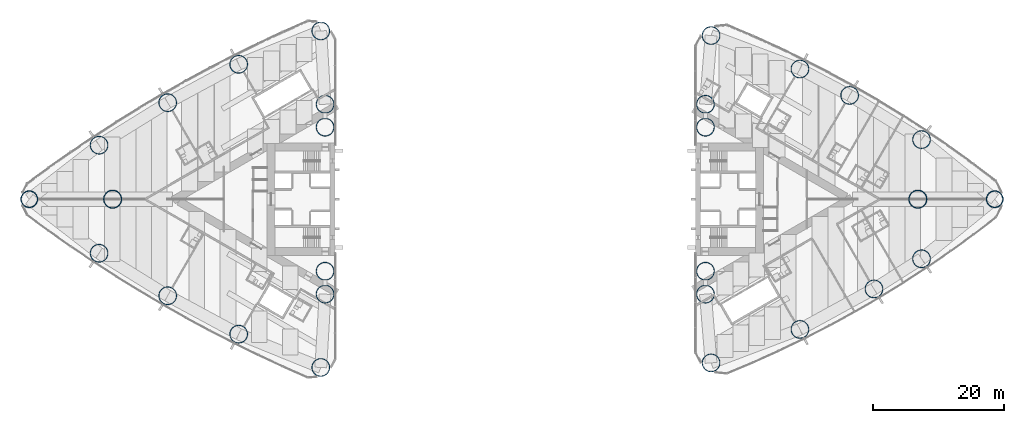
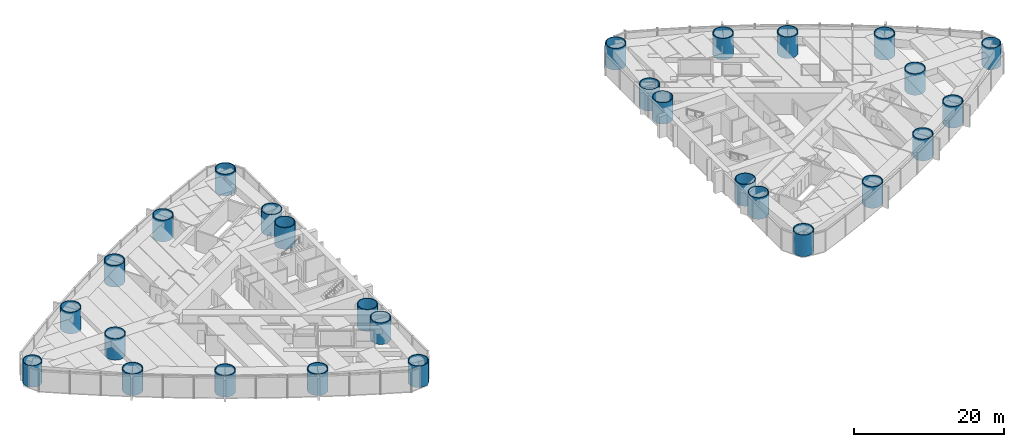
# One storey, part 1 of 19: 28 columns.
"""IFC4 building model written with IfcOpenShell, lengths in metres."""

from ifc_helpers import new_model, si_unit, direction, frame, origin, origin_2d, place, context, subcontext, project, spatial, hollow_circle, extrude, material, material_profile, profile_set, type_object, element, save


model = new_model("IFC4")

# Units and contexts
model_context = context("Model", 3, precision=1e-05, world=origin(), true_north=direction((0.0, 1.0)))
body_context = subcontext(model_context, "Body", "Model", "MODEL_VIEW")
ifc_project = project(units=[si_unit("LENGTHUNIT", "METRE"), si_unit("AREAUNIT", "SQUARE_METRE"), si_unit("VOLUMEUNIT", "CUBIC_METRE"), si_unit("PLANEANGLEUNIT", "RADIAN"), si_unit("MASSUNIT", "GRAM", prefix="KILO")], contexts=[model_context])

# Site, building, storey
site_placement = place(None, origin())
site = spatial("IfcSite", under=ifc_project, at=site_placement, CompositionType="ELEMENT")
building_placement = place(site_placement, origin())
building = spatial("IfcBuilding", under=site, at=building_placement, Name="Lancet Gate Hotel", CompositionType="ELEMENT")
storey_placement = place(building_placement, frame((0.0, 0.0, 25.0)))
storey = spatial("IfcBuildingStorey", under=building, at=storey_placement, Name="L05", CompositionType="ELEMENT", Elevation=25.0)

# Columns
ifc_material_1 = material(Name="Composite filled tube, grade 460 plate, grade 80/95 fill", Category="composite")
ifc_material_profile_1 = material_profile(ifc_material_1, hollow_circle(Radius=1.39990234375, WallThickness=0.10009765625, at=origin_2d()), Name="CHS 2800x100")
ifc_profile_set_1 = profile_set([ifc_material_profile_1], Name="Composite filled tube, grade 460 plate, grade 80/95 fill")
column_type_1 = type_object("IfcColumnType", Name="Apex column CFT CHS 2800x100", PredefinedType="COLUMN", material=ifc_profile_set_1)
for number, where, z_axis, x_axis, name in (
    (1, (-61.5, 0.0, 0.0), (0.0, 0.0, 1.0), (1.0, 0.0, 0.0), "T1 column AX L05"),
    (2, (61.5, 0.0, 0.0), (0.0, 0.0, 1.0), (1.0, 0.0, 0.0), "T2 column AX L05"),
):
    element("IfcColumn", number, at=place(storey_placement, frame(where, z_axis=z_axis, x_axis=x_axis)), inside=storey, type_object=column_type_1, Name=name, PredefinedType="COLUMN", context=body_context, shape_type="SweptSolid", body=[
        extrude(hollow_circle(Radius=1.39990234375, WallThickness=0.10009765625, at=origin_2d()), origin(), (0.0, 0.0, 1.0), 3.5),
    ])
ifc_material_2 = material(Name="Composite filled tube, grade 460 plate, grade 80/95 fill", Category="composite")
ifc_material_profile_2 = material_profile(ifc_material_2, hollow_circle(Radius=1.300048828125, WallThickness=0.10009765625, at=origin_2d()), Name="CHS 2600x100")
ifc_profile_set_2 = profile_set([ifc_material_profile_2], Name="Composite filled tube, grade 460 plate, grade 80/95 fill")
column_type_2 = type_object("IfcColumnType", Name="Apex corner column CFT CHS 2600x100", PredefinedType="COLUMN", material=ifc_profile_set_2)
for number, where, z_axis, x_axis, name in (
    (3, (-74.235107421875, 0.0, 0.0), (0.0, 0.0, 1.0), (1.0, 0.0, 0.0), "T1 column CA L05"),
    (4, (73.2392578125, 0.0, 0.0), (0.0, 0.0, 1.0), (1.0, 0.0, 0.0), "T2 column CA L05"),
):
    element("IfcColumn", number, at=place(storey_placement, frame(where, z_axis=z_axis, x_axis=x_axis)), inside=storey, type_object=column_type_2, Name=name, PredefinedType="COLUMN", context=body_context, shape_type="SweptSolid", body=[
        extrude(hollow_circle(Radius=1.300048828125, WallThickness=0.10009765625, at=origin_2d()), origin(), (0.0, 0.0, 1.0), 3.5),
    ])
ifc_material_3 = material(Name="Composite filled tube, grade 460 plate, grade 80/95 fill", Category="composite")
ifc_material_profile_3 = material_profile(ifc_material_3, hollow_circle(Radius=1.39990234375, WallThickness=0.1201171875, at=origin_2d()), Name="CHS 2800x120")
ifc_profile_set_3 = profile_set([ifc_material_profile_3], Name="Composite filled tube, grade 460 plate, grade 80/95 fill")
column_type_3 = type_object("IfcColumnType", Name="Perimeter column CFT CHS 2800x120", PredefinedType="COLUMN", material=ifc_profile_set_3)
for number, where, z_axis, x_axis, name in (
    (5, (-29.703369140625, -25.70263671875, 0.0), (0.0, 0.0, 1.0), (1.0, 0.0, 0.0), "T1 column CN L05"),
    (6, (-29.703369140625, 25.70263671875, 0.0), (0.0, 0.0, 1.0), (1.0, 0.0, 0.0), "T1 column CS L05"),
    (7, (-29.050048828125, -11.0, 0.0), (0.0, 0.0, 1.0), (1.0, 0.0, 0.0), "T1 column IN L05"),
    (8, (-29.050048828125, 11.0, 0.0), (0.0, 0.0, 1.0), (1.0, 0.0, 0.0), "T1 column IS L05"),
    (9, (-29.050048828125, 14.5, 0.0), (0.0, 0.0, 1.0), (1.0, 0.0, 0.0), "T1 column IT L05"),
    (10, (-29.050048828125, -14.5, 0.0), (0.0, 0.0, 1.0), (1.0, 0.0, 0.0), "T1 column JT L05"),
    (11, (-63.57177734375, -8.255126953125, 0.0), (0.0, 0.0, 1.0), (1.0, 0.0, 0.0), "T1 column ON1 L05"),
    (12, (-53.090087890625, -14.744873046875, 0.0), (0.0, 0.0, 1.0), (1.0, 0.0, 0.0), "T1 column ON2 L05"),
    (13, (-42.2451171875, -20.607421875, 0.0), (0.0, 0.0, 1.0), (1.0, 0.0, 0.0), "T1 column ON3 L05"),
    (14, (-42.2451171875, 20.607421875, 0.0), (0.0, 0.0, 1.0), (1.0, 0.0, 0.0), "T1 column OS1 L05"),
    (15, (-53.090087890625, 14.744873046875, 0.0), (0.0, 0.0, 1.0), (1.0, 0.0, 0.0), "T1 column OS2 L05"),
    (16, (-63.57177734375, 8.255126953125, 0.0), (0.0, 0.0, 1.0), (1.0, 0.0, 0.0), "T1 column OS3 L05"),
    (17, (29.9111328125, 25.00244140625, 0.0), (0.0, 0.0, 1.0), (1.0, 0.0, 0.0), "T2 column CN L05"),
    (18, (29.9111328125, -25.00244140625, 0.0), (0.0, 0.0, 1.0), (1.0, 0.0, 0.0), "T2 column CS L05"),
    (19, (29.050048828125, 11.0, 0.0), (0.0, 0.0, 1.0), (1.0, 0.0, 0.0), "T2 column IN L05"),
    (20, (29.050048828125, -11.0, 0.0), (0.0, 0.0, 1.0), (1.0, 0.0, 0.0), "T2 column IS L05"),
    (21, (29.050048828125, -14.5, 0.0), (0.0, 0.0, 1.0), (1.0, 0.0, 0.0), "T2 column IT L05"),
    (22, (29.050048828125, 14.5, 0.0), (0.0, 0.0, 1.0), (1.0, 0.0, 0.0), "T2 column JT L05"),
    (23, (62.059326171875, 9.10498046875, 0.0), (0.0, 0.0, 1.0), (1.0, 0.0, 0.0), "T2 column ON1 L05"),
    (24, (51.07763671875, 15.8583984375, 0.0), (0.0, 0.0, 1.0), (1.0, 0.0, 0.0), "T2 column ON2 L05"),
    (25, (43.484130859375, 19.886474609375, 0.0), (0.0, 0.0, 1.0), (1.0, 0.0, 0.0), "T2 column ON3 L05"),
    (26, (43.484130859375, -19.886474609375, 0.0), (0.0, 0.0, 1.0), (1.0, 0.0, 0.0), "T2 column OS1 L05"),
    (27, (54.795166015625, -13.70068359375, 0.0), (0.0, 0.0, 1.0), (1.0, 0.0, 0.0), "T2 column OS2 L05"),
    (28, (62.059326171875, -9.10498046875, 0.0), (0.0, 0.0, 1.0), (1.0, 0.0, 0.0), "T2 column OS3 L05"),
):
    element("IfcColumn", number, at=place(storey_placement, frame(where, z_axis=z_axis, x_axis=x_axis)), inside=storey, type_object=column_type_3, Name=name, PredefinedType="COLUMN", context=body_context, shape_type="SweptSolid", body=[
        extrude(hollow_circle(Radius=1.39990234375, WallThickness=0.1201171875, at=origin_2d()), origin(), (0.0, 0.0, 1.0), 3.5),
    ])

save(model, "model.ifc")
